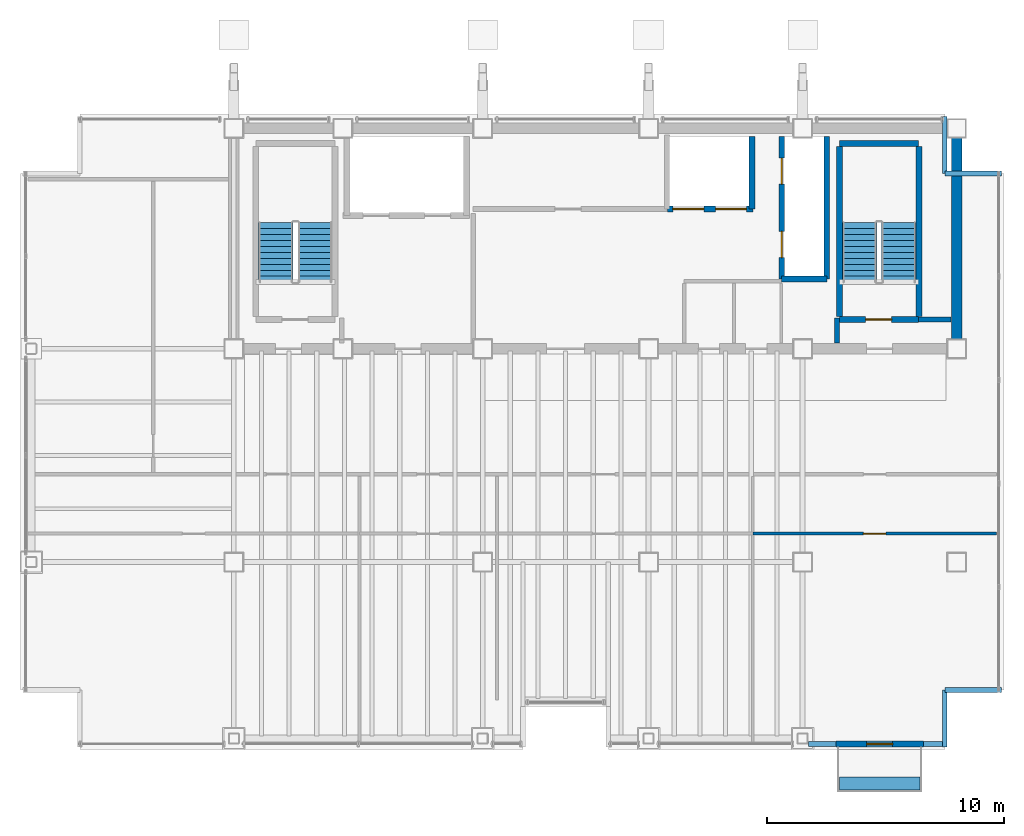
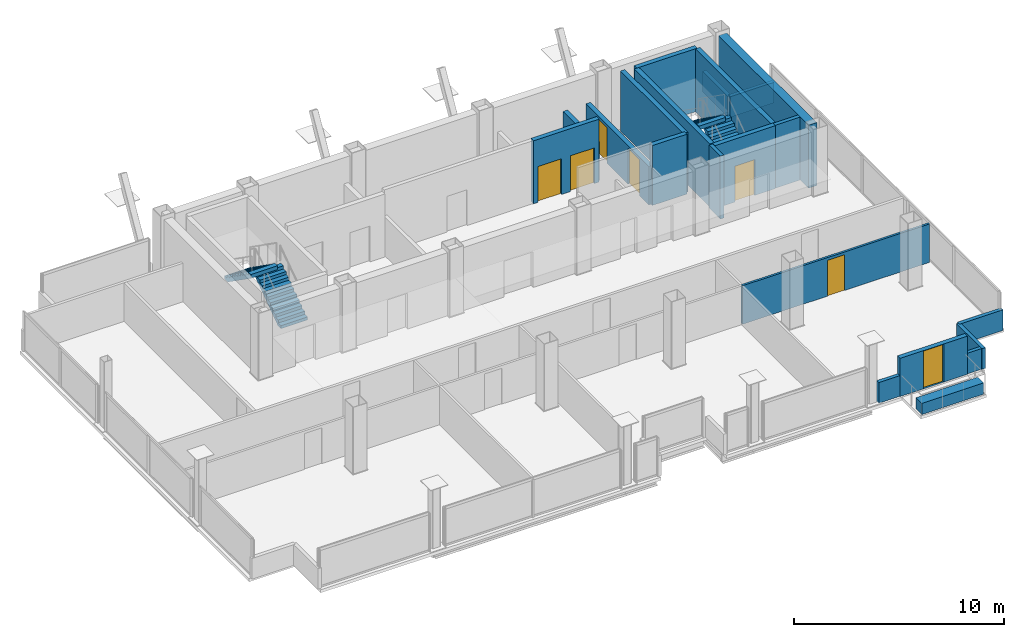
# One storey, part 15 of 16: 20 walls, 7 doors, 4 stair flights, 1 discrete accessory, 7 openings, 2 elements without a shape of their own.
"""IFC4 building model written with IfcOpenShell, lengths in metres."""

from ifc_helpers import new_model, si_unit, direction, frame, frame_2d, origin, origin_2d, place, context, subcontext, project, spatial, polyline, rectangle, outline, extrude, material, layer, layer_set, type_object, element, fill, aggregate, save


model = new_model("IFC4")

# Units and contexts
model_context = context("Model", 3, precision=1e-05, world=origin(), true_north=direction((0.0, 1.0)))
body_context = subcontext(model_context, "Body", "Model", "MODEL_VIEW")
ifc_project = project(units=[si_unit("LENGTHUNIT", "METRE"), si_unit("AREAUNIT", "SQUARE_METRE"), si_unit("VOLUMEUNIT", "CUBIC_METRE"), si_unit("PLANEANGLEUNIT", "RADIAN"), si_unit("MASSUNIT", "GRAM", prefix="KILO")], contexts=[model_context])

# Site, building, storey
site_placement = place(None, origin())
site = spatial("IfcSite", under=ifc_project, at=site_placement, CompositionType="ELEMENT")
building_placement = place(site_placement, origin())
building = spatial("IfcBuilding", under=site, at=building_placement, Name="Noeulbin Bourse Tower", CompositionType="ELEMENT")
storey_placement = place(building_placement, frame((0.0, 0.0, 254.0)))
storey = spatial("IfcBuildingStorey", under=building, at=storey_placement, Name="L63", CompositionType="ELEMENT", Elevation=254.0)

# Wall
ifc_material_1 = material(Name="Concrete C50/60", Category="concrete")
ifc_layer_1 = layer(ifc_material_1, 0.449951171875)
ifc_layer_set_1 = layer_set([ifc_layer_1], Name="Concrete C50/60")
wall_type_1 = type_object("IfcWallType", Name="WAL-CORE-450", PredefinedType="SHEAR", material=ifc_layer_set_1)
wall_1_placement = place(storey_placement, frame((44.0, 29.35009765625, 0.0), z_axis=(0.0, 0.0, 1.0), x_axis=(0.0, 1.0, 0.0)))
element("IfcWall", 1, at=wall_1_placement, inside=storey, type_object=wall_type_1, Name="Rear Core East Shear Wall L63", PredefinedType="SHEAR", context=body_context, shape_type="SweptSolid", body=[
    extrude(rectangle(XDim=8.599853515625, YDim=0.449951171875, at=frame_2d((4.2998046875, 0.0))), origin(), (0.0, 0.0, 1.0), 3.659912109375),
])

# Wall, opening, door
ifc_material_2 = material(Name="Precast Concrete C40/50", Category="concrete")
ifc_layer_2 = layer(ifc_material_2, 0.25)
ifc_layer_set_2 = layer_set([ifc_layer_2], Name="Precast Concrete C40/50")
wall_type_2 = type_object("IfcWallType", Name="WAL-EXT-250", PredefinedType="STANDARD", material=ifc_layer_set_2)
wall_2_placement = place(storey_placement, frame((38.89990234375, 12.320068359375, 0.0), z_axis=(0.0, 0.0, 1.0), x_axis=(1.0, 0.0, 0.0)))
wall_2 = element("IfcWall", 2, at=wall_2_placement, inside=storey, type_object=wall_type_2, Name="Balcony Threshold Wall L63", PredefinedType="STANDARD", context=body_context, shape_type="SweptSolid", body=[
    extrude(rectangle(XDim=3.7001953125, YDim=0.25, at=frame_2d((1.85009765625, 0.0))), origin(), (0.0, 0.0, 1.0), 2.219970703125),
])
opening_1_placement = place(wall_2_placement, frame((1.300048828125, 0.0, 0.0)))
opening_1 = element("IfcOpeningElement", 3, at=opening_1_placement, cuts=wall_2, Name="Opening BD-11", PredefinedType="OPENING", context=body_context, shape_type="SweptSolid", body=[
    extrude(rectangle(XDim=1.10009765625, YDim=2.199951171875, at=frame_2d((0.550048828125, 1.10009765625))), frame((0.0, 0.135009765625, 0.0), z_axis=(0.0, -1.0, 0.0), x_axis=(1.0, 0.0, 0.0)), (0.0, 0.0, 1.0), 0.27001953125),
])
ifc_material_3 = material(Name="Thermally Broken Aluminium Framed Glass", Category="aluminium")
door_type_1 = type_object("IfcDoorType", Name="DR-BAL-1100", OperationType="SINGLE_SWING_LEFT", PredefinedType="DOOR", material=ifc_material_3)
door_1_placement = place(opening_1_placement, origin())
door_1 = element("IfcDoor", 4, at=door_1_placement, inside=storey, type_object=door_type_1, Name="Tree-Balcony Access Door BD-L63", OperationType="SINGLE_SWING_LEFT", OverallHeight=2.199951171875, OverallWidth=1.10009765625, PredefinedType="DOOR", context=body_context, shape_type="SweptSolid", body=[
    extrude(rectangle(XDim=1.10009765625, YDim=2.199951171875, at=frame_2d((0.550048828125, 1.10009765625))), frame((0.0, 0.02490234375, 0.0), z_axis=(0.0, -1.0, 0.0), x_axis=(1.0, 0.0, 0.0)), (0.0, 0.0, 1.0), 0.050048828125),
])
fill(opening_1, door_1)

# Walls
ifc_material_4 = material(Name="Concrete C40/50", Category="concrete")
ifc_layer_3 = layer(ifc_material_4, 0.199951171875)
ifc_layer_set_3 = layer_set([ifc_layer_3], Name="Concrete C40/50")
wall_type_3 = type_object("IfcWallType", Name="WAL-FIRE-200", PredefinedType="STANDARD", material=ifc_layer_set_3)
wall_3_placement = place(storey_placement, frame((42.39990234375, 30.239990234375, 0.0), z_axis=(0.0, 0.0, 1.0), x_axis=(1.0, 0.0, 0.0)))
element("IfcWall", 5, at=wall_3_placement, inside=storey, type_object=wall_type_3, Name="Interior Partition Wall L63-01", PredefinedType="STANDARD", context=body_context, shape_type="SweptSolid", body=[
    extrude(rectangle(XDim=1.364990234375, YDim=0.199951171875, at=frame_2d((0.6826171875, 0.0))), origin(), (0.0, 0.0, 1.0), 3.659912109375),
])
wall_4_placement = place(storey_placement, frame((38.949951171875, 29.235107421875, 0.0), z_axis=(0.0, 0.0, 1.0), x_axis=(0.0, 1.0, 0.0)))
element("IfcWall", 6, at=wall_4_placement, inside=storey, type_object=wall_type_3, Name="Interior Partition Wall L63-11", PredefinedType="STANDARD", context=body_context, shape_type="SweptSolid", body=[
    extrude(rectangle(XDim=1.06494140625, YDim=0.199951171875, at=frame_2d((0.532470703125, 0.0))), origin(), (0.0, 0.0, 1.0), 3.659912109375),
])
ifc_layer_4 = layer(ifc_material_4, 0.199951171875)
ifc_layer_set_4 = layer_set([ifc_layer_4], Name="Concrete C40/50")
wall_type_4 = type_object("IfcWallType", Name="WAL-PAR-200", PredefinedType="PARAPET", material=ifc_layer_set_4)
wall_5_placement = place(storey_placement, frame((37.7451171875, 12.320068359375, 0.0), z_axis=(0.0, 0.0, 1.0), x_axis=(1.0, 0.0, 0.0)))
element("IfcWall", 7, at=wall_5_placement, inside=storey, type_object=wall_type_4, Name="Perimeter Pier Spandrel Parapet L63-S1", PredefinedType="PARAPET", context=body_context, shape_type="SweptSolid", body=[
    extrude(rectangle(XDim=1.15478515625, YDim=0.199951171875, at=frame_2d((0.577392578125, 0.0))), origin(), (0.0, 0.0, 1.0), 1.199951171875),
])
wall_6_placement = place(storey_placement, frame((42.60009765625, 12.320068359375, 0.0), z_axis=(0.0, 0.0, 1.0), x_axis=(1.0, 0.0, 0.0)))
element("IfcWall", 8, at=wall_6_placement, inside=storey, type_object=wall_type_4, Name="Perimeter Pier Spandrel Parapet L63-S2", PredefinedType="PARAPET", context=body_context, shape_type="SweptSolid", body=[
    extrude(rectangle(XDim=0.7998046875, YDim=0.199951171875, at=frame_2d((0.39990234375, 0.0))), origin(), (0.0, 0.0, 1.0), 1.199951171875),
])
wall_7_placement = place(storey_placement, frame((43.5, 12.199951171875, 0.0), z_axis=(0.0, 0.0, 1.0), x_axis=(0.0, 1.0, 0.0)))
element("IfcWall", 9, at=wall_7_placement, inside=storey, type_object=wall_type_4, Name="Corner Notch Parapet L63-SE1", PredefinedType="PARAPET", context=body_context, shape_type="SweptSolid", body=[
    extrude(rectangle(XDim=2.400146484375, YDim=0.199951171875, at=frame_2d((1.2001953125, 0.0))), origin(), (0.0, 0.0, 1.0), 1.199951171875),
])
wall_8_placement = place(storey_placement, frame((43.5, 14.60009765625, 0.0), z_axis=(0.0, 0.0, 1.0), x_axis=(1.0, 0.0, 0.0)))
element("IfcWall", 10, at=wall_8_placement, inside=storey, type_object=wall_type_4, Name="Corner Notch Parapet L63-SE2", PredefinedType="PARAPET", context=body_context, shape_type="SweptSolid", body=[
    extrude(rectangle(XDim=2.39990234375, YDim=0.199951171875, at=frame_2d((1.199951171875, 0.0))), origin(), (0.0, 0.0, 1.0), 1.199951171875),
])
wall_9_placement = place(storey_placement, frame((43.5, 38.800048828125, 0.0), z_axis=(0.0, 0.0, 1.0), x_axis=(0.0, -1.0, 0.0)))
element("IfcWall", 11, at=wall_9_placement, inside=storey, type_object=wall_type_4, Name="Corner Notch Parapet L63-NE1", PredefinedType="PARAPET", context=body_context, shape_type="SweptSolid", body=[
    extrude(rectangle(XDim=2.400146484375, YDim=0.199951171875, at=frame_2d((1.2001953125, 0.0))), origin(), (0.0, 0.0, 1.0), 1.199951171875),
])
wall_10_placement = place(storey_placement, frame((43.5, 36.39990234375, 0.0), z_axis=(0.0, 0.0, 1.0), x_axis=(1.0, 0.0, 0.0)))
element("IfcWall", 12, at=wall_10_placement, inside=storey, type_object=wall_type_4, Name="Corner Notch Parapet L63-NE2", PredefinedType="PARAPET", context=body_context, shape_type="SweptSolid", body=[
    extrude(rectangle(XDim=2.39990234375, YDim=0.199951171875, at=frame_2d((1.199951171875, 0.0))), origin(), (0.0, 0.0, 1.0), 1.199951171875),
])

# Wall, opening, door
ifc_material_5 = material(Name="Steel Stud Gypsum Partition", Category="steel")
ifc_layer_5 = layer(ifc_material_5, 0.1201171875)
ifc_layer_set_5 = layer_set([ifc_layer_5], Name="Steel Stud Gypsum Partition")
wall_type_5 = type_object("IfcWallType", Name="WAL-PRT-120", PredefinedType="PARTITIONING", material=ifc_layer_set_5)
wall_11_placement = place(storey_placement, frame((35.39990234375, 21.199951171875, 0.0), z_axis=(0.0, 0.0, 1.0), x_axis=(1.0, 0.0, 0.0)))
wall_11 = element("IfcWall", 13, at=wall_11_placement, inside=storey, type_object=wall_type_5, Name="Interior Partition Wall L63-09", PredefinedType="PARTITIONING", context=body_context, shape_type="SweptSolid", body=[
    extrude(rectangle(XDim=10.2900390625, YDim=0.1201171875, at=frame_2d((5.14501953125, 0.0))), origin(), (0.0, 0.0, 1.0), 2.239990234375),
])
opening_2_placement = place(wall_11_placement, frame((4.669921875, 0.0, 0.0)))
opening_2 = element("IfcOpeningElement", 14, at=opening_2_placement, cuts=wall_11, Name="Opening ID-09", PredefinedType="OPENING", context=body_context, shape_type="SweptSolid", body=[
    extrude(rectangle(XDim=0.949951171875, YDim=2.080078125, at=frame_2d((0.47509765625, 1.0400390625))), frame((0.0, 0.070068359375, 0.0), z_axis=(0.0, -1.0, 0.0), x_axis=(1.0, 0.0, 0.0)), (0.0, 0.0, 1.0), 0.14013671875),
])
ifc_material_6 = material(Name="Acoustic Solid-Core Timber", Category="wood")
door_type_2 = type_object("IfcDoorType", Name="DR-SINGLE-950", OperationType="SINGLE_SWING_LEFT", PredefinedType="DOOR", material=ifc_material_6)
door_2_placement = place(opening_2_placement, origin())
door_2 = element("IfcDoor", 15, at=door_2_placement, inside=storey, type_object=door_type_2, Name="Interior Door L63-14", OperationType="SINGLE_SWING_LEFT", OverallHeight=2.080078125, OverallWidth=0.949951171875, PredefinedType="DOOR", context=body_context, shape_type="SweptSolid", body=[
    extrude(rectangle(XDim=0.949951171875, YDim=2.080078125, at=frame_2d((0.47509765625, 1.0400390625))), frame((0.0, 0.02490234375, 0.0), z_axis=(0.0, -1.0, 0.0), x_axis=(1.0, 0.0, 0.0)), (0.0, 0.0, 1.0), 0.050048828125),
])
fill(opening_2, door_2)

ifc_layer_6 = layer(ifc_material_4, 0.25)
ifc_layer_set_6 = layer_set([ifc_layer_6], Name="Concrete C40/50")
wall_type_6 = type_object("IfcWallType", Name="WAL-SHFT-250", PredefinedType="STANDARD", material=ifc_layer_set_6)
wall_12_placement = place(storey_placement, frame((39.06005859375, 30.235107421875, 0.0), z_axis=(0.0, 0.0, 1.0), x_axis=(1.0, 0.0, 0.0)))
wall_12 = element("IfcWall", 16, at=wall_12_placement, inside=storey, type_object=wall_type_6, Name="Stair ST-2 South Shaft Wall L63", PredefinedType="STANDARD", context=body_context, shape_type="SweptSolid", body=[
    extrude(rectangle(XDim=3.33984375, YDim=0.25, at=frame_2d((1.669921875, 0.0))), origin(), (0.0, 0.0, 1.0), 3.659912109375),
])
opening_3_placement = place(wall_12_placement, frame((1.10009765625, 0.0, 0.0)))
opening_3 = element("IfcOpeningElement", 17, at=opening_3_placement, cuts=wall_12, Name="Opening FD-11", PredefinedType="OPENING", context=body_context, shape_type="SweptSolid", body=[
    extrude(rectangle(XDim=1.10009765625, YDim=2.080078125, at=frame_2d((0.550048828125, 1.0400390625))), frame((0.0, 0.135009765625, 0.0), z_axis=(0.0, -1.0, 0.0), x_axis=(1.0, 0.0, 0.0)), (0.0, 0.0, 1.0), 0.27001953125),
])
ifc_material_7 = material(Name="Fire-Rated Insulated Steel", Category="steel")
door_type_3 = type_object("IfcDoorType", Name="DR-FD60-1100", OperationType="SINGLE_SWING_LEFT", PredefinedType="DOOR", material=ifc_material_7)
door_3_placement = place(opening_3_placement, origin())
door_3 = element("IfcDoor", 18, at=door_3_placement, inside=storey, type_object=door_type_3, Name="Protected Stair Entry Door ST2-L63", OperationType="SINGLE_SWING_LEFT", OverallHeight=2.080078125, OverallWidth=1.10009765625, PredefinedType="DOOR", context=body_context, shape_type="SweptSolid", body=[
    extrude(rectangle(XDim=1.10009765625, YDim=2.080078125, at=frame_2d((0.550048828125, 1.0400390625))), frame((0.0, 0.02490234375, 0.0), z_axis=(0.0, -1.0, 0.0), x_axis=(1.0, 0.0, 0.0)), (0.0, 0.0, 1.0), 0.050048828125),
])
fill(opening_3, door_3)

# Walls
wall_13_placement = place(storey_placement, frame((39.06005859375, 37.6689453125, 0.0), z_axis=(0.0, 0.0, 1.0), x_axis=(1.0, 0.0, 0.0)))
element("IfcWall", 19, at=wall_13_placement, inside=storey, type_object=wall_type_6, Name="Stair ST-2 North Shaft Wall L63", PredefinedType="STANDARD", context=body_context, shape_type="SweptSolid", body=[
    extrude(rectangle(XDim=3.33984375, YDim=0.25, at=frame_2d((1.669921875, 0.0))), origin(), (0.0, 0.0, 1.0), 3.659912109375),
])
for number, where, z_axis, x_axis, name in (
    (20, (39.054931640625, 30.360107421875, 0.0), (0.0, 0.0, 1.0), (0.0, 1.0, 0.0), "Stair ST-2 West Shaft Wall L63"),
    (21, (42.405029296875, 30.360107421875, 0.0), (0.0, 0.0, 1.0), (0.0, 1.0, 0.0), "Stair ST-2 East Shaft Wall L63"),
):
    element("IfcWall", number, at=place(storey_placement, frame(where, z_axis=z_axis, x_axis=x_axis)), inside=storey, type_object=wall_type_6, Name=name, PredefinedType="STANDARD", context=body_context, shape_type="SweptSolid", body=[
        extrude(rectangle(XDim=7.183837890625, YDim=0.25, at=frame_2d((3.591796875, 0.0))), origin(), (0.0, 0.0, 1.0), 3.659912109375),
    ])

# Wall, openings, doors
wall_14_placement = place(storey_placement, frame((36.6201171875, 31.949951171875, 0.0), z_axis=(0.0, 0.0, 1.0), x_axis=(0.0, 1.0, 0.0)))
wall_14 = element("IfcWall", 22, at=wall_14_placement, inside=storey, type_object=wall_type_6, Name="Service Lift Shaft Wall L63", PredefinedType="STANDARD", context=body_context, shape_type="SweptSolid", body=[
    extrude(rectangle(XDim=6.0, YDim=0.25, at=frame_2d((3.0, 0.0))), origin(), (0.0, 0.0, 1.0), 2.239990234375),
])
opening_4_placement = place(wall_14_placement, frame((0.89990234375, 0.0, 0.0)))
opening_4 = element("IfcOpeningElement", 23, at=opening_4_placement, cuts=wall_14, Name="Opening LD-11", PredefinedType="OPENING", context=body_context, shape_type="SweptSolid", body=[
    extrude(rectangle(XDim=1.10009765625, YDim=2.080078125, at=frame_2d((0.550048828125, 1.0400390625))), frame((0.0, 0.135009765625, 0.0), z_axis=(0.0, -1.0, 0.0), x_axis=(1.0, 0.0, 0.0)), (0.0, 0.0, 1.0), 0.27001953125),
])
opening_5_placement = place(wall_14_placement, frame((4.0, 0.0, 0.0)))
opening_5 = element("IfcOpeningElement", 24, at=opening_5_placement, cuts=wall_14, Name="Opening LD-11", PredefinedType="OPENING", context=body_context, shape_type="SweptSolid", body=[
    extrude(rectangle(XDim=1.10009765625, YDim=2.080078125, at=frame_2d((0.550048828125, 1.0400390625))), frame((0.0, 0.135009765625, 0.0), z_axis=(0.0, -1.0, 0.0), x_axis=(1.0, 0.0, 0.0)), (0.0, 0.0, 1.0), 0.27001953125),
])
ifc_material_8 = material(Name="Brushed Stainless Steel 316", Category="steel")
door_type_4 = type_object("IfcDoorType", Name="DR-LIFT-1100", OperationType="SLIDING_TO_LEFT", PredefinedType="DOOR", material=ifc_material_8)
door_4_placement = place(opening_4_placement, origin())
door_4 = element("IfcDoor", 25, at=door_4_placement, inside=storey, type_object=door_type_4, Name="Lift Landing Door LD-EL-01-L63", OperationType="SLIDING_TO_LEFT", OverallHeight=2.080078125, OverallWidth=1.10009765625, PredefinedType="DOOR", context=body_context, shape_type="SweptSolid", body=[
    extrude(rectangle(XDim=1.10009765625, YDim=2.080078125, at=frame_2d((0.550048828125, 1.0400390625))), frame((0.0, 0.02490234375, 0.0), z_axis=(0.0, -1.0, 0.0), x_axis=(1.0, 0.0, 0.0)), (0.0, 0.0, 1.0), 0.050048828125),
])
fill(opening_4, door_4)
door_5_placement = place(opening_5_placement, origin())
door_5 = element("IfcDoor", 26, at=door_5_placement, inside=storey, type_object=door_type_4, Name="Lift Landing Door LD-SV-01-L63", OperationType="SLIDING_TO_LEFT", OverallHeight=2.080078125, OverallWidth=1.10009765625, PredefinedType="DOOR", context=body_context, shape_type="SweptSolid", body=[
    extrude(rectangle(XDim=1.10009765625, YDim=2.080078125, at=frame_2d((0.550048828125, 1.0400390625))), frame((0.0, 0.02490234375, 0.0), z_axis=(0.0, -1.0, 0.0), x_axis=(1.0, 0.0, 0.0)), (0.0, 0.0, 1.0), 0.050048828125),
])
fill(opening_5, door_5)

# Walls
wall_15_placement = place(storey_placement, frame((38.52001953125, 31.949951171875, 0.0), z_axis=(0.0, 0.0, 1.0), x_axis=(0.0, 1.0, 0.0)))
element("IfcWall", 27, at=wall_15_placement, inside=storey, type_object=wall_type_6, Name="Service Lift East Shaft Wall L63", PredefinedType="STANDARD", context=body_context, shape_type="SweptSolid", body=[
    extrude(rectangle(XDim=6.0, YDim=0.25, at=frame_2d((3.0, 0.0))), origin(), (0.0, 0.0, 1.0), 3.47998046875),
])
wall_16_placement = place(storey_placement, frame((36.6201171875, 31.949951171875, 0.0), z_axis=(0.0, 0.0, 1.0), x_axis=(1.0, 0.0, 0.0)))
element("IfcWall", 28, at=wall_16_placement, inside=storey, type_object=wall_type_6, Name="Service Lift South Shaft Wall L63", PredefinedType="STANDARD", context=body_context, shape_type="SweptSolid", body=[
    extrude(rectangle(XDim=1.89990234375, YDim=0.25, at=frame_2d((0.949951171875, 0.0))), origin(), (0.0, 0.0, 1.0), 3.47998046875),
])
wall_17_placement = place(storey_placement, frame((35.360107421875, 34.89990234375, 0.0), z_axis=(0.0, 0.0, 1.0), x_axis=(0.0, 1.0, 0.0)))
element("IfcWall", 29, at=wall_17_placement, inside=storey, type_object=wall_type_6, Name="High-Rise Lift East Shaft Wall L63", PredefinedType="STANDARD", context=body_context, shape_type="SweptSolid", body=[
    extrude(rectangle(XDim=3.050048828125, YDim=0.25, at=frame_2d((1.52490234375, 0.0))), origin(), (0.0, 0.0, 1.0), 2.239990234375),
])

# Wall, openings, doors
wall_18_placement = place(storey_placement, frame((31.800048828125, 34.89990234375, 0.0), z_axis=(0.0, 0.0, 1.0), x_axis=(1.0, 0.0, 0.0)))
wall_18 = element("IfcWall", 30, at=wall_18_placement, inside=storey, type_object=wall_type_6, Name="High-Rise Lift Bank Front L63", PredefinedType="STANDARD", context=body_context, shape_type="SweptSolid", body=[
    extrude(rectangle(XDim=3.599853515625, YDim=0.25, at=frame_2d((1.7998046875, 0.0))), origin(), (0.0, 0.0, 1.0), 3.659912109375),
])
opening_6_placement = place(wall_18_placement, frame((0.22998046875, 0.0, 0.0)))
opening_6 = element("IfcOpeningElement", 31, at=opening_6_placement, cuts=wall_18, Name="Opening LD-13", PredefinedType="OPENING", context=body_context, shape_type="SweptSolid", body=[
    extrude(rectangle(XDim=1.300048828125, YDim=2.080078125, at=frame_2d((0.64990234375, 1.0400390625))), frame((0.0, 0.135009765625, 0.0), z_axis=(0.0, -1.0, 0.0), x_axis=(1.0, 0.0, 0.0)), (0.0, 0.0, 1.0), 0.27001953125),
])
opening_7_placement = place(wall_18_placement, frame((2.030029296875, 0.0, 0.0)))
opening_7 = element("IfcOpeningElement", 32, at=opening_7_placement, cuts=wall_18, Name="Opening LD-13", PredefinedType="OPENING", context=body_context, shape_type="SweptSolid", body=[
    extrude(rectangle(XDim=1.300048828125, YDim=2.080078125, at=frame_2d((0.64990234375, 1.0400390625))), frame((0.0, 0.135009765625, 0.0), z_axis=(0.0, -1.0, 0.0), x_axis=(1.0, 0.0, 0.0)), (0.0, 0.0, 1.0), 0.27001953125),
])
door_type_5 = type_object("IfcDoorType", Name="DR-LIFT-1300", OperationType="DOUBLE_DOOR_SLIDING", PredefinedType="DOOR", material=ifc_material_8)
door_6_placement = place(opening_6_placement, origin())
door_6 = element("IfcDoor", 33, at=door_6_placement, inside=storey, type_object=door_type_5, Name="Lift Landing Door LD-PL-H1-L63", OperationType="DOUBLE_DOOR_SLIDING", OverallHeight=2.080078125, OverallWidth=1.300048828125, PredefinedType="DOOR", context=body_context, shape_type="SweptSolid", body=[
    extrude(rectangle(XDim=1.300048828125, YDim=2.080078125, at=frame_2d((0.64990234375, 1.0400390625))), frame((0.0, 0.02490234375, 0.0), z_axis=(0.0, -1.0, 0.0), x_axis=(1.0, 0.0, 0.0)), (0.0, 0.0, 1.0), 0.050048828125),
])
fill(opening_6, door_6)
door_7_placement = place(opening_7_placement, origin())
door_7 = element("IfcDoor", 34, at=door_7_placement, inside=storey, type_object=door_type_5, Name="Lift Landing Door LD-PL-H2-L63", OperationType="DOUBLE_DOOR_SLIDING", OverallHeight=2.080078125, OverallWidth=1.300048828125, PredefinedType="DOOR", context=body_context, shape_type="SweptSolid", body=[
    extrude(rectangle(XDim=1.300048828125, YDim=2.080078125, at=frame_2d((0.64990234375, 1.0400390625))), frame((0.0, 0.02490234375, 0.0), z_axis=(0.0, -1.0, 0.0), x_axis=(1.0, 0.0, 0.0)), (0.0, 0.0, 1.0), 0.050048828125),
])
fill(opening_7, door_7)

# Stair, stair flights
stair_type = type_object("IfcStairType", Name="STR-CORE-1560", PredefinedType="HALF_TURN_STAIR", material=ifc_material_4)
stair_1_placement = place(storey_placement, origin())
stair_1 = element("IfcStair", 35, at=stair_1_placement, inside=storey, type_object=stair_type, Name="L63 ST-1", PredefinedType="HALF_TURN_STAIR")
stair_flight_type = type_object("IfcStairFlightType", Name="SFL-CORE-1560", PredefinedType="STRAIGHT", material=ifc_material_4)
stair_flight_1_placement = place(storey_placement, frame((16.925048828125, 31.81005859375, 0.0), z_axis=(0.0, 0.0, 1.0), x_axis=(0.0, 1.0, 0.0)))
stair_flight_1 = element("IfcStairFlight", 36, at=stair_flight_1_placement, type_object=stair_flight_type, Name="ST-1 flight 1", NumberOfRisers=11, NumberOfTreads=10, PredefinedType="STRAIGHT", RiserHeight=0.177272727, TreadLength=0.252, context=body_context, shape_type="SweptSolid", body=[
    extrude(outline(polyline([(0.0, 0.0), (0.0, 0.17724609375), (0.251953125, 0.17724609375), (0.251953125, 0.3544921875), (0.50390625, 0.3544921875), (0.50390625, 0.53173828125), (0.756103515625, 0.53173828125), (0.756103515625, 0.708984375), (1.008056640625, 0.708984375), (1.008056640625, 0.886474609375), (1.260009765625, 0.886474609375), (1.260009765625, 1.063720703125), (1.511962890625, 1.063720703125), (1.511962890625, 1.240966796875), (1.763916015625, 1.240966796875), (1.763916015625, 1.418212890625), (2.01611328125, 1.418212890625), (2.01611328125, 1.595458984375), (2.26806640625, 1.595458984375), (2.26806640625, 1.772705078125), (2.52001953125, 1.772705078125), (2.52001953125, 1.949951171875), (2.52001953125, 1.552734375), (0.312744140625, 0.0), (0.0, 0.0)])), frame((0.0, 0.72509765625, 0.0), z_axis=(0.0, -1.0, 0.0), x_axis=(1.0, 0.0, 0.0)), (0.0, 0.0, 1.0), 1.449951171875),
])
stair_flight_2_placement = place(storey_placement, frame((15.27490234375, 34.330078125, 1.949951171875), z_axis=(0.0, 0.0, 1.0), x_axis=(0.0, -1.0, 0.0)))
stair_flight_2 = element("IfcStairFlight", 37, at=stair_flight_2_placement, type_object=stair_flight_type, Name="ST-1 flight 2", NumberOfRisers=11, NumberOfTreads=10, PredefinedType="STRAIGHT", RiserHeight=0.177272727, TreadLength=0.252, context=body_context, shape_type="SweptSolid", body=[
    extrude(outline(polyline([(0.0, 0.0), (0.0, 0.17724609375), (0.251953125, 0.17724609375), (0.251953125, 0.3544921875), (0.50390625, 0.3544921875), (0.50390625, 0.53173828125), (0.756103515625, 0.53173828125), (0.756103515625, 0.708984375), (1.008056640625, 0.708984375), (1.008056640625, 0.886474609375), (1.260009765625, 0.886474609375), (1.260009765625, 1.063720703125), (1.511962890625, 1.063720703125), (1.511962890625, 1.240966796875), (1.763916015625, 1.240966796875), (1.763916015625, 1.418212890625), (2.01611328125, 1.418212890625), (2.01611328125, 1.595458984375), (2.26806640625, 1.595458984375), (2.26806640625, 1.772705078125), (2.52001953125, 1.772705078125), (2.52001953125, 1.949951171875), (2.52001953125, 1.552734375), (0.312744140625, 0.0), (0.0, 0.0)])), frame((0.0, 0.72509765625, 0.0), z_axis=(0.0, -1.0, 0.0), x_axis=(1.0, 0.0, 0.0)), (0.0, 0.0, 1.0), 1.449951171875),
])
aggregate(stair_1, [stair_flight_1, stair_flight_2])

stair_2_placement = place(storey_placement, origin())
stair_2 = element("IfcStair", 38, at=stair_2_placement, inside=storey, type_object=stair_type, Name="L63 ST-2", PredefinedType="HALF_TURN_STAIR")
stair_flight_3_placement = place(storey_placement, frame((41.554931640625, 31.81005859375, 0.0), z_axis=(0.0, 0.0, 1.0), x_axis=(0.0, 1.0, 0.0)))
stair_flight_3 = element("IfcStairFlight", 39, at=stair_flight_3_placement, type_object=stair_flight_type, Name="ST-2 flight 1", NumberOfRisers=11, NumberOfTreads=10, PredefinedType="STRAIGHT", RiserHeight=0.177272727, TreadLength=0.252, context=body_context, shape_type="SweptSolid", body=[
    extrude(outline(polyline([(0.0, 0.0), (0.0, 0.17724609375), (0.251953125, 0.17724609375), (0.251953125, 0.3544921875), (0.50390625, 0.3544921875), (0.50390625, 0.53173828125), (0.756103515625, 0.53173828125), (0.756103515625, 0.708984375), (1.008056640625, 0.708984375), (1.008056640625, 0.886474609375), (1.260009765625, 0.886474609375), (1.260009765625, 1.063720703125), (1.511962890625, 1.063720703125), (1.511962890625, 1.240966796875), (1.763916015625, 1.240966796875), (1.763916015625, 1.418212890625), (2.01611328125, 1.418212890625), (2.01611328125, 1.595458984375), (2.26806640625, 1.595458984375), (2.26806640625, 1.772705078125), (2.52001953125, 1.772705078125), (2.52001953125, 1.949951171875), (2.52001953125, 1.552734375), (0.312744140625, 0.0), (0.0, 0.0)])), frame((0.0, 0.72509765625, 0.0), z_axis=(0.0, -1.0, 0.0), x_axis=(1.0, 0.0, 0.0)), (0.0, 0.0, 1.0), 1.449951171875),
])
stair_flight_4_placement = place(storey_placement, frame((39.905029296875, 34.330078125, 1.949951171875), z_axis=(0.0, 0.0, 1.0), x_axis=(0.0, -1.0, 0.0)))
stair_flight_4 = element("IfcStairFlight", 40, at=stair_flight_4_placement, type_object=stair_flight_type, Name="ST-2 flight 2", NumberOfRisers=11, NumberOfTreads=10, PredefinedType="STRAIGHT", RiserHeight=0.177272727, TreadLength=0.252, context=body_context, shape_type="SweptSolid", body=[
    extrude(outline(polyline([(0.0, 0.0), (0.0, 0.17724609375), (0.251953125, 0.17724609375), (0.251953125, 0.3544921875), (0.50390625, 0.3544921875), (0.50390625, 0.53173828125), (0.756103515625, 0.53173828125), (0.756103515625, 0.708984375), (1.008056640625, 0.708984375), (1.008056640625, 0.886474609375), (1.260009765625, 0.886474609375), (1.260009765625, 1.063720703125), (1.511962890625, 1.063720703125), (1.511962890625, 1.240966796875), (1.763916015625, 1.240966796875), (1.763916015625, 1.418212890625), (2.01611328125, 1.418212890625), (2.01611328125, 1.595458984375), (2.26806640625, 1.595458984375), (2.26806640625, 1.772705078125), (2.52001953125, 1.772705078125), (2.52001953125, 1.949951171875), (2.52001953125, 1.552734375), (0.312744140625, 0.0), (0.0, 0.0)])), frame((0.0, 0.72509765625, 0.0), z_axis=(0.0, -1.0, 0.0), x_axis=(1.0, 0.0, 0.0)), (0.0, 0.0, 1.0), 1.449951171875),
])
aggregate(stair_2, [stair_flight_3, stair_flight_4])

# Discrete accessory
ifc_material_9 = material(Name="Architectural GFRC Concrete C40/50", Category="concrete")
ifc_layer_7 = layer(ifc_material_9, 0.64990234375)
ifc_layer_set_7 = layer_set([ifc_layer_7], Name="Architectural GFRC Concrete C40/50")
discrete_accessory_type = type_object("IfcDiscreteAccessoryType", Name="PLANTER-BOX-3600", PredefinedType="USERDEFINED", material=ifc_layer_set_7)
discrete_accessory_placement = place(storey_placement, frame((40.75, 10.659912109375, 0.0), z_axis=(0.0, 0.0, 1.0), x_axis=(1.0, 0.0, 0.0)))
element("IfcDiscreteAccessory", 41, at=discrete_accessory_placement, inside=storey, type_object=discrete_accessory_type, Name="Integrated Balcony Tree Planter Box L63", ObjectType="PLANTER", PredefinedType="USERDEFINED", context=body_context, shape_type="SweptSolid", body=[
    extrude(rectangle(XDim=3.39990234375, YDim=0.550048828125, at=origin_2d()), origin(), (0.0, 0.0, 1.0), 0.64990234375),
])

save(model, "model.ifc")
